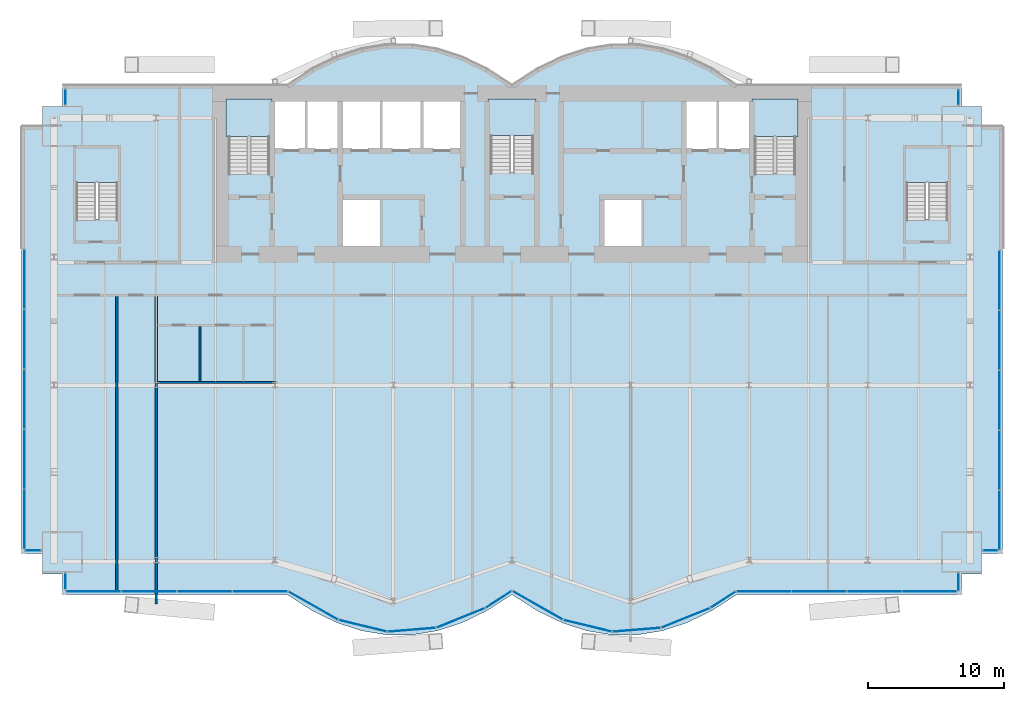
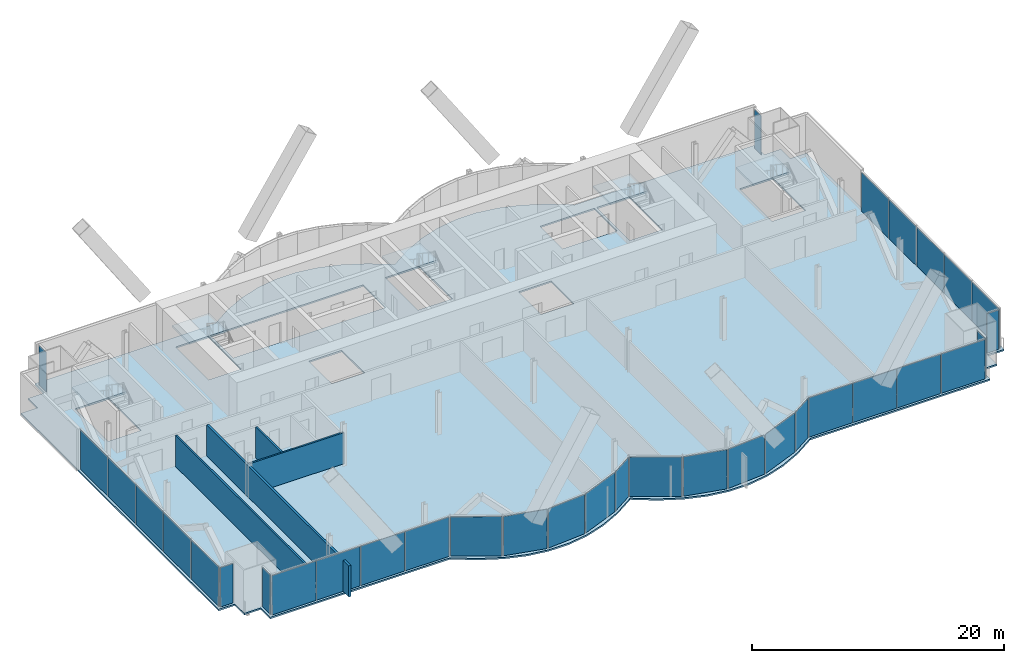
# One storey, part 14 of 21: 34 plates, 6 slabs, 4 walls, 17 elements without a shape of their own.
"""IFC4 building model written with IfcOpenShell, lengths in metres."""

from ifc_helpers import new_model, si_unit, direction, frame, frame_2d, origin, origin_2d, place, context, subcontext, project, spatial, polyline, rectangle, outline, extrude, material, layer, layer_set, type_object, element, aggregate, save


model = new_model("IFC4")

# Units and contexts
model_context = context("Model", 3, precision=1e-05, world=origin(), true_north=direction((0.0, 1.0)))
body_context = subcontext(model_context, "Body", "Model", "MODEL_VIEW")
ifc_project = project(units=[si_unit("LENGTHUNIT", "METRE"), si_unit("AREAUNIT", "SQUARE_METRE"), si_unit("VOLUMEUNIT", "CUBIC_METRE"), si_unit("PLANEANGLEUNIT", "RADIAN"), si_unit("MASSUNIT", "GRAM", prefix="KILO")], contexts=[model_context])

# Site, building, storey
site_placement = place(None, origin())
site = spatial("IfcSite", under=ifc_project, at=site_placement, CompositionType="ELEMENT")
building_placement = place(site_placement, origin())
building = spatial("IfcBuilding", under=site, at=building_placement, Name="Bicima Exchange Tower", CompositionType="ELEMENT")
storey_placement = place(building_placement, frame((0.0, 0.0, 118.60009765625)))
storey = spatial("IfcBuildingStorey", under=building, at=storey_placement, Name="L25", CompositionType="ELEMENT", Elevation=118.60009765625)

# Slab
ifc_material_1 = material(Name="Concrete C40/50", Category="concrete")
ifc_layer_1 = layer(ifc_material_1, 0.14990234375)
ifc_layer_set_1 = layer_set([ifc_layer_1], Name="Concrete C40/50")
slab_type_1 = type_object("IfcSlabType", Name="Composite floor slab 150", PredefinedType="FLOOR", material=ifc_layer_set_1)
slab_1_placement = place(storey_placement, frame((0.0, 0.0, -0.150146484375)))
element("IfcSlab", 1, at=slab_1_placement, inside=storey, type_object=slab_type_1, Name="Floor slab", PredefinedType="FLOOR", context=body_context, shape_type="SweptSolid", body=[
    extrude(outline(polyline([(-36.0, -34.364013671875), (-36.0, -3.0), (-34.5, -3.0), (-34.5, -1.5), (-33.0, -1.5), (-33.0, 0.0), (-16.5, 0.0), (-14.666748046875, 1.185302734375), (-12.833251953125, 2.07421875), (-11.0, 2.666748046875), (-9.166748046875, 2.962890625), (-7.333251953125, 2.962890625), (-5.5, 2.666748046875), (-3.666748046875, 2.07421875), (-1.833251953125, 1.185302734375), (0.0, 0.0), (1.833251953125, 1.185302734375), (3.666748046875, 2.07421875), (5.5, 2.666748046875), (7.333251953125, 2.962890625), (9.166748046875, 2.962890625), (11.0, 2.666748046875), (12.833251953125, 2.07421875), (14.666748046875, 1.185302734375), (16.5, 0.0), (33.0, 0.0), (33.0, -1.5), (34.5, -1.5), (34.5, -3.0), (36.0, -3.0), (36.0, -34.364013671875), (34.5, -34.364013671875), (34.5, -35.864013671875), (33.0, -35.864013671875), (33.0, -37.364013671875), (16.5, -37.364013671875), (14.666748046875, -38.54931640625), (12.833251953125, -39.43798828125), (11.0, -40.03076171875), (9.166748046875, -40.326904296875), (7.333251953125, -40.326904296875), (5.5, -40.03076171875), (3.666748046875, -39.43798828125), (1.833251953125, -38.54931640625), (0.0, -37.364013671875), (-1.833251953125, -38.54931640625), (-3.666748046875, -39.43798828125), (-5.5, -40.03076171875), (-7.333251953125, -40.326904296875), (-9.166748046875, -40.326904296875), (-11.0, -40.03076171875), (-12.833251953125, -39.43798828125), (-14.666748046875, -38.54931640625), (-16.5, -37.364013671875), (-33.0, -37.364013671875), (-33.0, -35.864013671875), (-34.5, -35.864013671875), (-34.5, -34.364013671875), (-36.0, -34.364013671875)]), holes=[polyline([(-9.60009765625, -11.800048828125), (-9.60009765625, -8.199951171875), (-12.60009765625, -8.199951171875), (-12.60009765625, -11.800048828125), (-9.60009765625, -11.800048828125)]), polyline([(-31.97509765625, -9.824951171875), (-28.925048828125, -9.824951171875), (-28.925048828125, -4.625), (-31.97509765625, -4.625), (-31.97509765625, -9.824951171875)]), polyline([(-20.800048828125, -6.449951171875), (-17.800048828125, -6.449951171875), (-17.800048828125, -1.199951171875), (-20.800048828125, -1.199951171875), (-20.800048828125, -6.449951171875)]), polyline([(-9.60009765625, -1.199951171875), (-12.60009765625, -1.199951171875), (-15.10009765625, -1.199951171875), (-17.60009765625, -1.199951171875), (-17.60009765625, -4.800048828125), (-15.10009765625, -4.800048828125), (-12.60009765625, -4.800048828125), (-9.60009765625, -4.800048828125), (-6.60009765625, -4.800048828125), (-3.60009765625, -4.800048828125), (-3.60009765625, -1.199951171875), (-6.60009765625, -1.199951171875), (-9.60009765625, -1.199951171875)]), polyline([(9.60009765625, -11.800048828125), (9.60009765625, -8.199951171875), (6.60009765625, -8.199951171875), (6.60009765625, -11.800048828125), (9.60009765625, -11.800048828125)]), polyline([(28.925048828125, -9.824951171875), (31.97509765625, -9.824951171875), (31.97509765625, -4.625), (28.925048828125, -4.625), (28.925048828125, -9.824951171875)]), polyline([(17.800048828125, -6.449951171875), (20.800048828125, -6.449951171875), (20.800048828125, -1.199951171875), (17.800048828125, -1.199951171875), (17.800048828125, -6.449951171875)]), polyline([(-1.574951171875, -6.39990234375), (1.574951171875, -6.39990234375), (1.574951171875, -1.199951171875), (-1.574951171875, -1.199951171875), (-1.574951171875, -6.39990234375)]), polyline([(17.60009765625, -4.800048828125), (17.60009765625, -1.199951171875), (15.10009765625, -1.199951171875), (12.60009765625, -1.199951171875), (12.60009765625, -4.800048828125), (15.10009765625, -4.800048828125), (17.60009765625, -4.800048828125)])]), origin(), (0.0, 0.0, 1.0), 0.150146484375),
])

# Curtain wall, plates
ifc_material_2 = material(Name="Anodised bronze aluminium", Category="aluminium")
curtain_wall_type_1 = type_object("IfcCurtainWallType", Name="End face glass wall", PredefinedType="NOTDEFINED", material=ifc_material_2)
curtain_wall_1_placement = place(storey_placement, origin())
curtain_wall_1 = element("IfcCurtainWall", 2, at=curtain_wall_1_placement, inside=storey, type_object=curtain_wall_type_1, Name="End face glass wall L25 run 2", PredefinedType="NOTDEFINED")
ifc_material_3 = material(Name="Bronze tinted glass", Category="glass")
ifc_layer_2 = layer(ifc_material_3, 0.031982421875)
ifc_layer_set_2 = layer_set([ifc_layer_2], Name="Bronze tinted glass")
plate_type_1 = type_object("IfcPlateType", Name="End face glass wall glass panel 32", PredefinedType="CURTAIN_PANEL", material=ifc_layer_set_2)
plate_1_placement = place(storey_placement, frame((-35.77001953125, -27.42578125, -0.000244140625), z_axis=(0.0, 0.0, 1.0), x_axis=(0.0, -1.0, 0.0)))
plate_1 = element("IfcPlate", 3, at=plate_1_placement, type_object=plate_type_1, Name="End face glass wall panel 4.1", PredefinedType="CURTAIN_PANEL", context=body_context, shape_type="SweptSolid", body=[
    extrude(rectangle(XDim=4.3388671875, YDim=0.031982421875, at=origin_2d()), origin(), (0.0, 0.0, 1.0), 3.81005859375),
])
plate_2_placement = place(storey_placement, frame((-35.77001953125, -31.82470703125, -0.000244140625), z_axis=(0.0, 0.0, 1.0), x_axis=(0.0, -1.0, 0.0)))
plate_2 = element("IfcPlate", 4, at=plate_2_placement, type_object=plate_type_1, Name="End face glass wall panel 5.1", PredefinedType="CURTAIN_PANEL", context=body_context, shape_type="SweptSolid", body=[
    extrude(rectangle(XDim=4.3388671875, YDim=0.031982421875, at=origin_2d()), origin(), (0.0, 0.0, 1.0), 3.81005859375),
])

curtain_wall_2_placement = place(storey_placement, origin())
curtain_wall_2 = element("IfcCurtainWall", 5, at=curtain_wall_2_placement, inside=storey, type_object=curtain_wall_type_1, Name="End face glass wall L25 run 19", PredefinedType="NOTDEFINED")
plate_3_placement = place(storey_placement, frame((35.77001953125, -31.904541015625, -0.000244140625), z_axis=(0.0, 0.0, 1.0), x_axis=(0.0, 1.0, 0.0)))
plate_3 = element("IfcPlate", 6, at=plate_3_placement, type_object=plate_type_1, Name="End face glass wall panel 1.1", PredefinedType="CURTAIN_PANEL", context=body_context, shape_type="SweptSolid", body=[
    extrude(rectangle(XDim=4.3388671875, YDim=0.031982421875, at=origin_2d()), origin(), (0.0, 0.0, 1.0), 3.81005859375),
])
plate_4_placement = place(storey_placement, frame((35.77001953125, -27.505859375, -0.000244140625), z_axis=(0.0, 0.0, 1.0), x_axis=(0.0, 1.0, 0.0)))
plate_4 = element("IfcPlate", 7, at=plate_4_placement, type_object=plate_type_1, Name="End face glass wall panel 2.1", PredefinedType="CURTAIN_PANEL", context=body_context, shape_type="SweptSolid", body=[
    extrude(rectangle(XDim=4.3388671875, YDim=0.031982421875, at=origin_2d()), origin(), (0.0, 0.0, 1.0), 3.81005859375),
])

# Plate
ifc_material_4 = material(Name="Bronze anodised aluminium", Category="aluminium")
ifc_layer_3 = layer(ifc_material_4, 0.031982421875)
ifc_layer_set_3 = layer_set([ifc_layer_3], Name="Bronze anodised aluminium")
plate_type_2 = type_object("IfcPlateType", Name="End face glass wall spandrel panel 32", PredefinedType="CURTAIN_PANEL", material=ifc_layer_set_3)
plate_5_placement = place(storey_placement, frame((-35.77001953125, -14.2294921875, -0.000244140625), z_axis=(0.0, 0.0, 1.0), x_axis=(0.0, -1.0, 0.0)))
plate_5 = element("IfcPlate", 8, at=plate_5_placement, type_object=plate_type_2, Name="End face spandrel wall panel 1.1", PredefinedType="CURTAIN_PANEL", context=body_context, shape_type="SweptSolid", body=[
    extrude(rectangle(XDim=4.3388671875, YDim=0.031982421875, at=origin_2d()), origin(), (0.0, 0.0, 1.0), 3.81005859375),
])

plate_6_placement = place(storey_placement, frame((-35.77001953125, -18.628173828125, -0.000244140625), z_axis=(0.0, 0.0, 1.0), x_axis=(0.0, -1.0, 0.0)))
plate_6 = element("IfcPlate", 9, at=plate_6_placement, type_object=plate_type_2, Name="End face spandrel wall panel 2.1", PredefinedType="CURTAIN_PANEL", context=body_context, shape_type="SweptSolid", body=[
    extrude(rectangle(XDim=4.3388671875, YDim=0.031982421875, at=origin_2d()), origin(), (0.0, 0.0, 1.0), 3.81005859375),
])

plate_7_placement = place(storey_placement, frame((-35.77001953125, -23.027099609375, -0.000244140625), z_axis=(0.0, 0.0, 1.0), x_axis=(0.0, -1.0, 0.0)))
plate_7 = element("IfcPlate", 10, at=plate_7_placement, type_object=plate_type_2, Name="End face spandrel wall panel 3.1", PredefinedType="CURTAIN_PANEL", context=body_context, shape_type="SweptSolid", body=[
    extrude(rectangle(XDim=4.3388671875, YDim=0.031982421875, at=origin_2d()), origin(), (0.0, 0.0, 1.0), 3.81005859375),
])

aggregate(curtain_wall_1, [plate_5, plate_6, plate_7, plate_1, plate_2])

plate_8_placement = place(storey_placement, frame((35.77001953125, -23.10693359375, -0.000244140625), z_axis=(0.0, 0.0, 1.0), x_axis=(0.0, 1.0, 0.0)))
plate_8 = element("IfcPlate", 11, at=plate_8_placement, type_object=plate_type_2, Name="End face spandrel wall panel 3.1", PredefinedType="CURTAIN_PANEL", context=body_context, shape_type="SweptSolid", body=[
    extrude(rectangle(XDim=4.3388671875, YDim=0.031982421875, at=origin_2d()), origin(), (0.0, 0.0, 1.0), 3.81005859375),
])

plate_9_placement = place(storey_placement, frame((35.77001953125, -18.708251953125, -0.000244140625), z_axis=(0.0, 0.0, 1.0), x_axis=(0.0, 1.0, 0.0)))
plate_9 = element("IfcPlate", 12, at=plate_9_placement, type_object=plate_type_2, Name="End face spandrel wall panel 4.1", PredefinedType="CURTAIN_PANEL", context=body_context, shape_type="SweptSolid", body=[
    extrude(rectangle(XDim=4.3388671875, YDim=0.031982421875, at=origin_2d()), origin(), (0.0, 0.0, 1.0), 3.81005859375),
])

plate_10_placement = place(storey_placement, frame((35.77001953125, -14.309326171875, -0.000244140625), z_axis=(0.0, 0.0, 1.0), x_axis=(0.0, 1.0, 0.0)))
plate_10 = element("IfcPlate", 13, at=plate_10_placement, type_object=plate_type_2, Name="End face spandrel wall panel 5.1", PredefinedType="CURTAIN_PANEL", context=body_context, shape_type="SweptSolid", body=[
    extrude(rectangle(XDim=4.3388671875, YDim=0.031982421875, at=origin_2d()), origin(), (0.0, 0.0, 1.0), 3.81005859375),
])

aggregate(curtain_wall_2, [plate_3, plate_4, plate_8, plate_9, plate_10])

# Curtain wall, plate
curtain_wall_type_2 = type_object("IfcCurtainWallType", Name="Front glass wall", PredefinedType="NOTDEFINED", material=ifc_material_2)
curtain_wall_3_placement = place(storey_placement, origin())
curtain_wall_3 = element("IfcCurtainWall", 14, at=curtain_wall_3_placement, inside=storey, type_object=curtain_wall_type_2, Name="Front glass wall L25 run 1", PredefinedType="NOTDEFINED")
ifc_layer_4 = layer(ifc_material_3, 0.031982421875)
ifc_layer_set_4 = layer_set([ifc_layer_4], Name="Bronze tinted glass")
plate_type_3 = type_object("IfcPlateType", Name="Front glass wall glass panel 32", PredefinedType="CURTAIN_PANEL", material=ifc_layer_set_4)
plate_11_placement = place(storey_placement, frame((-32.77001953125, -0.864990234375, -0.000244140625), z_axis=(0.0, 0.0, 1.0), x_axis=(0.0, -1.0, 0.0)))
plate_11 = element("IfcPlate", 15, at=plate_11_placement, type_object=plate_type_3, Name="Front glass wall panel 1.1", PredefinedType="CURTAIN_PANEL", context=body_context, shape_type="SweptSolid", body=[
    extrude(rectangle(XDim=1.14990234375, YDim=0.031982421875, at=origin_2d()), origin(), (0.0, 0.0, 1.0), 3.81005859375),
])
aggregate(curtain_wall_3, [plate_11])

curtain_wall_4_placement = place(storey_placement, origin())
curtain_wall_4 = element("IfcCurtainWall", 16, at=curtain_wall_4_placement, inside=storey, type_object=curtain_wall_type_2, Name="Front glass wall L25 run 3", PredefinedType="NOTDEFINED")
plate_12_placement = place(storey_placement, frame((-35.135009765625, -34.134033203125, -0.000244140625), z_axis=(0.0, 0.0, 1.0), x_axis=(1.0, 0.0, 0.0)))
plate_12 = element("IfcPlate", 17, at=plate_12_placement, type_object=plate_type_3, Name="Front glass wall panel 1.1", PredefinedType="CURTAIN_PANEL", context=body_context, shape_type="SweptSolid", body=[
    extrude(rectangle(XDim=1.14990234375, YDim=0.031982421875, at=origin_2d()), origin(), (0.0, 0.0, 1.0), 3.81005859375),
])
aggregate(curtain_wall_4, [plate_12])

curtain_wall_5_placement = place(storey_placement, origin())
curtain_wall_5 = element("IfcCurtainWall", 18, at=curtain_wall_5_placement, inside=storey, type_object=curtain_wall_type_2, Name="Front glass wall L25 run 4", PredefinedType="NOTDEFINED")
plate_13_placement = place(storey_placement, frame((-32.77001953125, -36.39794921875, -0.000244140625), z_axis=(0.0, 0.0, 1.0), x_axis=(0.0, -1.0, 0.0)))
plate_13 = element("IfcPlate", 19, at=plate_13_placement, type_object=plate_type_3, Name="Front glass wall panel 1.1", PredefinedType="CURTAIN_PANEL", context=body_context, shape_type="SweptSolid", body=[
    extrude(rectangle(XDim=1.19189453125, YDim=0.031982421875, at=origin_2d()), origin(), (0.0, 0.0, 1.0), 3.81005859375),
])
aggregate(curtain_wall_5, [plate_13])

# Curtain wall, plates
curtain_wall_6_placement = place(storey_placement, origin())
curtain_wall_6 = element("IfcCurtainWall", 20, at=curtain_wall_6_placement, inside=storey, type_object=curtain_wall_type_2, Name="Front glass wall L25 run 5", PredefinedType="NOTDEFINED")
plate_14_placement = place(storey_placement, frame((-30.705322265625, -37.134033203125, -0.000244140625), z_axis=(0.0, 0.0, 1.0), x_axis=(1.0, 0.0, 0.0)))
plate_14 = element("IfcPlate", 21, at=plate_14_placement, type_object=plate_type_3, Name="Front glass wall panel 1.1", PredefinedType="CURTAIN_PANEL", context=body_context, shape_type="SweptSolid", body=[
    extrude(rectangle(XDim=4.009521484375, YDim=0.031982421875, at=origin_2d()), origin(), (0.0, 0.0, 1.0), 3.81005859375),
])
plate_15_placement = place(storey_placement, frame((-26.6357421875, -37.134033203125, -0.000244140625), z_axis=(0.0, 0.0, 1.0), x_axis=(1.0, 0.0, 0.0)))
plate_15 = element("IfcPlate", 22, at=plate_15_placement, type_object=plate_type_3, Name="Front glass wall panel 2.1", PredefinedType="CURTAIN_PANEL", context=body_context, shape_type="SweptSolid", body=[
    extrude(rectangle(XDim=4.009521484375, YDim=0.031982421875, at=origin_2d()), origin(), (0.0, 0.0, 1.0), 3.81005859375),
])

curtain_wall_7_placement = place(storey_placement, origin())
curtain_wall_7 = element("IfcCurtainWall", 23, at=curtain_wall_7_placement, inside=storey, type_object=curtain_wall_type_2, Name="Front glass wall L25 run 6", PredefinedType="NOTDEFINED")
plate_16_placement = place(storey_placement, frame((-7.35107421875, -39.95166015625, -0.000244140625), z_axis=(0.0, 0.0, 1.0), x_axis=(0.99674744821, 0.080588612633, 0.0)))
plate_16 = element("IfcPlate", 24, at=plate_16_placement, type_object=plate_type_3, Name="Front glass wall panel 1.1", PredefinedType="CURTAIN_PANEL", context=body_context, shape_type="SweptSolid", body=[
    extrude(rectangle(XDim=3.486083984375, YDim=0.031982421875, at=origin_2d()), origin(), (0.0, 0.0, 1.0), 3.81005859375),
])
plate_17_placement = place(storey_placement, frame((-3.750244140625, -39.077392578125, -0.000244140625), z_axis=(0.0, 0.0, 1.0), x_axis=(0.92714396679, 0.374705304, 0.0)))
plate_17 = element("IfcPlate", 25, at=plate_17_placement, type_object=plate_type_3, Name="Front glass wall panel 1.1", PredefinedType="CURTAIN_PANEL", context=body_context, shape_type="SweptSolid", body=[
    extrude(rectangle(XDim=3.771240234375, YDim=0.031982421875, at=origin_2d()), origin(), (0.0, 0.0, 1.0), 3.81005859375),
])
plate_18_placement = place(storey_placement, frame((-0.97314453125, -37.71923828125, -0.000244140625), z_axis=(0.0, 0.0, 1.0), x_axis=(0.839798994301, 0.542897457326, 0.0)))
plate_18 = element("IfcPlate", 26, at=plate_18_placement, type_object=plate_type_3, Name="Front glass wall panel 1.1", PredefinedType="CURTAIN_PANEL", context=body_context, shape_type="SweptSolid", body=[
    extrude(rectangle(XDim=2.197509765625, YDim=0.031982421875, at=origin_2d()), origin(), (0.0, 0.0, 1.0), 3.81005859375),
])

curtain_wall_8_placement = place(storey_placement, origin())
curtain_wall_8 = element("IfcCurtainWall", 27, at=curtain_wall_8_placement, inside=storey, type_object=curtain_wall_type_2, Name="Front glass wall L25 run 11", PredefinedType="NOTDEFINED")
plate_19_placement = place(storey_placement, frame((1.876220703125, -38.1572265625, -0.000244140625), z_axis=(0.0, 0.0, 1.0), x_axis=(0.869274147378, -0.494330311331, 0.0)))
plate_19 = element("IfcPlate", 28, at=plate_19_placement, type_object=plate_type_3, Name="Front glass wall panel 1.1", PredefinedType="CURTAIN_PANEL", context=body_context, shape_type="SweptSolid", body=[
    extrude(rectangle(XDim=4.197021484375, YDim=0.031982421875, at=origin_2d()), origin(), (0.0, 0.0, 1.0), 3.81005859375),
])
plate_20_placement = place(storey_placement, frame((5.55224609375, -39.66064453125, -0.000244140625), z_axis=(0.0, 0.0, 1.0), x_axis=(0.971830343553, -0.235681529503, 0.0)))
plate_20 = element("IfcPlate", 29, at=plate_20_placement, type_object=plate_type_3, Name="Front glass wall panel 1.1", PredefinedType="CURTAIN_PANEL", context=body_context, shape_type="SweptSolid", body=[
    extrude(rectangle(XDim=3.583251953125, YDim=0.031982421875, at=origin_2d()), origin(), (0.0, 0.0, 1.0), 3.81005859375),
])
plate_21_placement = place(storey_placement, frame((15.492919921875, -37.7412109375, -0.000244140625), z_axis=(0.0, 0.0, 1.0), x_axis=(0.839791413941, 0.542909183079, 0.0)))
plate_21 = element("IfcPlate", 30, at=plate_21_placement, type_object=plate_type_3, Name="Front glass wall panel 1.1", PredefinedType="CURTAIN_PANEL", context=body_context, shape_type="SweptSolid", body=[
    extrude(rectangle(XDim=2.11669921875, YDim=0.031982421875, at=origin_2d()), origin(), (0.0, 0.0, 1.0), 3.81005859375),
])

curtain_wall_9_placement = place(storey_placement, origin())
curtain_wall_9 = element("IfcCurtainWall", 31, at=curtain_wall_9_placement, inside=storey, type_object=curtain_wall_type_2, Name="Front glass wall L25 run 16", PredefinedType="NOTDEFINED")
plate_22_placement = place(storey_placement, frame((26.585693359375, -37.134033203125, -0.000244140625), z_axis=(0.0, 0.0, 1.0), x_axis=(1.0, 0.0, 0.0)))
plate_22 = element("IfcPlate", 32, at=plate_22_placement, type_object=plate_type_3, Name="Front glass wall panel 3.1", PredefinedType="CURTAIN_PANEL", context=body_context, shape_type="SweptSolid", body=[
    extrude(rectangle(XDim=3.989501953125, YDim=0.031982421875, at=origin_2d()), origin(), (0.0, 0.0, 1.0), 3.81005859375),
])
plate_23_placement = place(storey_placement, frame((30.63525390625, -37.134033203125, -0.000244140625), z_axis=(0.0, 0.0, 1.0), x_axis=(1.0, 0.0, 0.0)))
plate_23 = element("IfcPlate", 33, at=plate_23_placement, type_object=plate_type_3, Name="Front glass wall panel 4.1", PredefinedType="CURTAIN_PANEL", context=body_context, shape_type="SweptSolid", body=[
    extrude(rectangle(XDim=3.989501953125, YDim=0.031982421875, at=origin_2d()), origin(), (0.0, 0.0, 1.0), 3.81005859375),
])

# Curtain wall, plate
curtain_wall_10_placement = place(storey_placement, origin())
curtain_wall_10 = element("IfcCurtainWall", 34, at=curtain_wall_10_placement, inside=storey, type_object=curtain_wall_type_2, Name="Front glass wall L25 run 17", PredefinedType="NOTDEFINED")
plate_24_placement = place(storey_placement, frame((32.77001953125, -36.43798828125, -0.000244140625), z_axis=(0.0, 0.0, 1.0), x_axis=(0.0, 1.0, 0.0)))
plate_24 = element("IfcPlate", 35, at=plate_24_placement, type_object=plate_type_3, Name="Front glass wall panel 1.1", PredefinedType="CURTAIN_PANEL", context=body_context, shape_type="SweptSolid", body=[
    extrude(rectangle(XDim=1.27197265625, YDim=0.031982421875, at=origin_2d()), origin(), (0.0, 0.0, 1.0), 3.81005859375),
])
aggregate(curtain_wall_10, [plate_24])

curtain_wall_11_placement = place(storey_placement, origin())
curtain_wall_11 = element("IfcCurtainWall", 36, at=curtain_wall_11_placement, inside=storey, type_object=curtain_wall_type_2, Name="Front glass wall L25 run 18", PredefinedType="NOTDEFINED")
plate_25_placement = place(storey_placement, frame((35.094970703125, -34.134033203125, -0.000244140625), z_axis=(0.0, 0.0, 1.0), x_axis=(1.0, 0.0, 0.0)))
plate_25 = element("IfcPlate", 37, at=plate_25_placement, type_object=plate_type_3, Name="Front glass wall panel 1.1", PredefinedType="CURTAIN_PANEL", context=body_context, shape_type="SweptSolid", body=[
    extrude(rectangle(XDim=1.070068359375, YDim=0.031982421875, at=origin_2d()), origin(), (0.0, 0.0, 1.0), 3.81005859375),
])
aggregate(curtain_wall_11, [plate_25])

curtain_wall_12_placement = place(storey_placement, origin())
curtain_wall_12 = element("IfcCurtainWall", 38, at=curtain_wall_12_placement, inside=storey, type_object=curtain_wall_type_2, Name="Front glass wall L25 run 20", PredefinedType="NOTDEFINED")
plate_26_placement = place(storey_placement, frame((32.77001953125, -0.905029296875, -0.000244140625), z_axis=(0.0, 0.0, 1.0), x_axis=(0.0, 1.0, 0.0)))
plate_26 = element("IfcPlate", 39, at=plate_26_placement, type_object=plate_type_3, Name="Front glass wall panel 1.1", PredefinedType="CURTAIN_PANEL", context=body_context, shape_type="SweptSolid", body=[
    extrude(rectangle(XDim=1.070068359375, YDim=0.031982421875, at=origin_2d()), origin(), (0.0, 0.0, 1.0), 3.81005859375),
])
aggregate(curtain_wall_12, [plate_26])

# Plate
ifc_layer_5 = layer(ifc_material_4, 0.031982421875)
ifc_layer_set_5 = layer_set([ifc_layer_5], Name="Bronze anodised aluminium")
plate_type_4 = type_object("IfcPlateType", Name="Front glass wall spandrel panel 32", PredefinedType="CURTAIN_PANEL", material=ifc_layer_set_5)
plate_27_placement = place(storey_placement, frame((-22.56640625, -37.134033203125, -0.000244140625), z_axis=(0.0, 0.0, 1.0), x_axis=(1.0, 0.0, 0.0)))
plate_27 = element("IfcPlate", 40, at=plate_27_placement, type_object=plate_type_4, Name="Front spandrel wall panel 3.1", PredefinedType="CURTAIN_PANEL", context=body_context, shape_type="SweptSolid", body=[
    extrude(rectangle(XDim=4.009521484375, YDim=0.031982421875, at=origin_2d()), origin(), (0.0, 0.0, 1.0), 3.81005859375),
])

plate_28_placement = place(storey_placement, frame((-18.496826171875, -37.134033203125, -0.000244140625), z_axis=(0.0, 0.0, 1.0), x_axis=(1.0, 0.0, 0.0)))
plate_28 = element("IfcPlate", 41, at=plate_28_placement, type_object=plate_type_4, Name="Front spandrel wall panel 4.1", PredefinedType="CURTAIN_PANEL", context=body_context, shape_type="SweptSolid", body=[
    extrude(rectangle(XDim=4.009521484375, YDim=0.031982421875, at=origin_2d()), origin(), (0.0, 0.0, 1.0), 3.81005859375),
])

aggregate(curtain_wall_6, [plate_14, plate_15, plate_27, plate_28])

plate_29_placement = place(storey_placement, frame((-14.589599609375, -38.17919921875, -0.000244140625), z_axis=(0.0, 0.0, 1.0), x_axis=(0.869805110681, -0.493395449343, 0.0)))
plate_29 = element("IfcPlate", 42, at=plate_29_placement, type_object=plate_type_4, Name="Front spandrel wall panel 1.1", PredefinedType="CURTAIN_PANEL", context=body_context, shape_type="SweptSolid", body=[
    extrude(rectangle(XDim=4.1162109375, YDim=0.031982421875, at=origin_2d()), origin(), (0.0, 0.0, 1.0), 3.81005859375),
])

plate_30_placement = place(storey_placement, frame((-10.94775390625, -39.66064453125, -0.000244140625), z_axis=(0.0, 0.0, 1.0), x_axis=(0.971830343553, -0.235681529503, 0.0)))
plate_30 = element("IfcPlate", 43, at=plate_30_placement, type_object=plate_type_4, Name="Front spandrel wall panel 1.1", PredefinedType="CURTAIN_PANEL", context=body_context, shape_type="SweptSolid", body=[
    extrude(rectangle(XDim=3.583251953125, YDim=0.031982421875, at=origin_2d()), origin(), (0.0, 0.0, 1.0), 3.81005859375),
])

aggregate(curtain_wall_7, [plate_29, plate_30, plate_16, plate_17, plate_18])

plate_31_placement = place(storey_placement, frame((9.14892578125, -39.95166015625, -0.000244140625), z_axis=(0.0, 0.0, 1.0), x_axis=(0.99674744821, 0.080588612633, 0.0)))
plate_31 = element("IfcPlate", 44, at=plate_31_placement, type_object=plate_type_4, Name="Front spandrel wall panel 1.1", PredefinedType="CURTAIN_PANEL", context=body_context, shape_type="SweptSolid", body=[
    extrude(rectangle(XDim=3.486083984375, YDim=0.031982421875, at=origin_2d()), origin(), (0.0, 0.0, 1.0), 3.81005859375),
])

plate_32_placement = place(storey_placement, frame((12.749755859375, -39.077392578125, -0.000244140625), z_axis=(0.0, 0.0, 1.0), x_axis=(0.92714396679, 0.374705304, 0.0)))
plate_32 = element("IfcPlate", 45, at=plate_32_placement, type_object=plate_type_4, Name="Front spandrel wall panel 1.1", PredefinedType="CURTAIN_PANEL", context=body_context, shape_type="SweptSolid", body=[
    extrude(rectangle(XDim=3.771240234375, YDim=0.031982421875, at=origin_2d()), origin(), (0.0, 0.0, 1.0), 3.81005859375),
])

aggregate(curtain_wall_8, [plate_19, plate_20, plate_31, plate_32, plate_21])

plate_33_placement = place(storey_placement, frame((18.48681640625, -37.134033203125, -0.000244140625), z_axis=(0.0, 0.0, 1.0), x_axis=(1.0, 0.0, 0.0)))
plate_33 = element("IfcPlate", 46, at=plate_33_placement, type_object=plate_type_4, Name="Front spandrel wall panel 1.1", PredefinedType="CURTAIN_PANEL", context=body_context, shape_type="SweptSolid", body=[
    extrude(rectangle(XDim=3.989501953125, YDim=0.031982421875, at=origin_2d()), origin(), (0.0, 0.0, 1.0), 3.81005859375),
])

plate_34_placement = place(storey_placement, frame((22.536376953125, -37.134033203125, -0.000244140625), z_axis=(0.0, 0.0, 1.0), x_axis=(1.0, 0.0, 0.0)))
plate_34 = element("IfcPlate", 47, at=plate_34_placement, type_object=plate_type_4, Name="Front spandrel wall panel 2.1", PredefinedType="CURTAIN_PANEL", context=body_context, shape_type="SweptSolid", body=[
    extrude(rectangle(XDim=3.989501953125, YDim=0.031982421875, at=origin_2d()), origin(), (0.0, 0.0, 1.0), 3.81005859375),
])

aggregate(curtain_wall_9, [plate_33, plate_34, plate_22, plate_23])

# Stair, slab
ifc_material_5 = material(Name="Concrete C50/60", Category="concrete")
stair_type_1 = type_object("IfcStairType", Name="Exit stair", PredefinedType="HALF_TURN_STAIR", material=ifc_material_5)
stair_1_placement = place(storey_placement, origin())
stair_1 = element("IfcStair", 48, at=stair_1_placement, inside=storey, type_object=stair_type_1, Name="L25 West exit stair", PredefinedType="HALF_TURN_STAIR")
ifc_layer_6 = layer(ifc_material_5, 0.199951171875)
ifc_layer_set_6 = layer_set([ifc_layer_6], Name="Concrete C50/60")
slab_type_2 = type_object("IfcSlabType", Name="Stair landing slab", PredefinedType="LANDING", material=ifc_layer_set_6)
slab_2_placement = place(storey_placement, frame((0.0, 0.0, 1.849853515625)))
slab_2 = element("IfcSlab", 49, at=slab_2_placement, type_object=slab_type_2, Name="ST-W landing 1", PredefinedType="LANDING", context=body_context, shape_type="SweptSolid", body=[
    extrude(outline(polyline([(-17.60009765625, -3.75), (-17.60009765625, -1.0), (-21.0, -1.0), (-21.0, -3.75), (-17.60009765625, -3.75)])), origin(), (0.0, 0.0, 1.0), 0.199951171875),
])
aggregate(stair_1, [slab_2])

stair_type_2 = type_object("IfcStairType", Name="Exit stair 1500", PredefinedType="HALF_TURN_STAIR", material=ifc_material_5)
stair_2_placement = place(storey_placement, origin())
stair_2 = element("IfcStair", 50, at=stair_2_placement, inside=storey, type_object=stair_type_2, Name="L25 Central exit stair", PredefinedType="HALF_TURN_STAIR")
slab_3_placement = place(storey_placement, frame((0.0, 0.0, 1.849853515625)))
slab_3 = element("IfcSlab", 51, at=slab_3_placement, type_object=slab_type_2, Name="ST-C landing 1", PredefinedType="LANDING", context=body_context, shape_type="SweptSolid", body=[
    extrude(outline(polyline([(1.77490234375, -3.699951171875), (1.77490234375, -1.0), (-1.77490234375, -1.0), (-1.77490234375, -3.699951171875), (1.77490234375, -3.699951171875)])), origin(), (0.0, 0.0, 1.0), 0.199951171875),
])
aggregate(stair_2, [slab_3])

stair_3_placement = place(storey_placement, origin())
stair_3 = element("IfcStair", 52, at=stair_3_placement, inside=storey, type_object=stair_type_1, Name="L25 East exit stair", PredefinedType="HALF_TURN_STAIR")
slab_4_placement = place(storey_placement, frame((0.0, 0.0, 1.849853515625)))
slab_4 = element("IfcSlab", 53, at=slab_4_placement, type_object=slab_type_2, Name="ST-E landing 1", PredefinedType="LANDING", context=body_context, shape_type="SweptSolid", body=[
    extrude(outline(polyline([(21.0, -3.75), (21.0, -1.0), (17.60009765625, -1.0), (17.60009765625, -3.75), (21.0, -3.75)])), origin(), (0.0, 0.0, 1.0), 0.199951171875),
])
aggregate(stair_3, [slab_4])

stair_4_placement = place(storey_placement, origin())
stair_4 = element("IfcStair", 54, at=stair_4_placement, inside=storey, type_object=stair_type_1, Name="L25 West end exit stair", PredefinedType="HALF_TURN_STAIR")
slab_5_placement = place(storey_placement, frame((0.0, 0.0, 1.849853515625)))
slab_5 = element("IfcSlab", 55, at=slab_5_placement, type_object=slab_type_2, Name="ST-WW landing 1", PredefinedType="LANDING", context=body_context, shape_type="SweptSolid", body=[
    extrude(outline(polyline([(-28.72509765625, -7.125), (-28.72509765625, -4.425048828125), (-32.175048828125, -4.425048828125), (-32.175048828125, -7.125), (-28.72509765625, -7.125)])), origin(), (0.0, 0.0, 1.0), 0.199951171875),
])
aggregate(stair_4, [slab_5])

stair_5_placement = place(storey_placement, origin())
stair_5 = element("IfcStair", 56, at=stair_5_placement, inside=storey, type_object=stair_type_1, Name="L25 East end exit stair", PredefinedType="HALF_TURN_STAIR")
slab_6_placement = place(storey_placement, frame((0.0, 0.0, 1.849853515625)))
slab_6 = element("IfcSlab", 57, at=slab_6_placement, type_object=slab_type_2, Name="ST-EE landing 1", PredefinedType="LANDING", context=body_context, shape_type="SweptSolid", body=[
    extrude(outline(polyline([(32.175048828125, -7.125), (32.175048828125, -4.425048828125), (28.72509765625, -4.425048828125), (28.72509765625, -7.125), (32.175048828125, -7.125)])), origin(), (0.0, 0.0, 1.0), 0.199951171875),
])
aggregate(stair_5, [slab_6])

# Walls
ifc_material_6 = material(Name="Gypsum board partition")
ifc_layer_7 = layer(ifc_material_6, 0.199951171875)
ifc_layer_set_7 = layer_set([ifc_layer_7], Name="Gypsum board partition")
wall_type_1 = type_object("IfcWallType", Name="Fire-rated gypsum partition 200 EI60", PredefinedType="PARTITIONING", material=ifc_layer_set_7)
wall_1_placement = place(storey_placement, frame((-26.10009765625, -38.053466796875, 0.0), z_axis=(0.0, 0.0, 1.0), x_axis=(0.0, 1.0, 0.0)))
element("IfcWall", 58, at=wall_1_placement, inside=storey, type_object=wall_type_1, Name="partition wall 15", PredefinedType="PARTITIONING", context=body_context, shape_type="SweptSolid", body=[
    extrude(rectangle(XDim=22.553466796875, YDim=0.199951171875, at=frame_2d((11.27685546875, 0.0))), origin(), (0.0, 0.0, 1.0), 3.01806640625),
])
ifc_layer_8 = layer(ifc_material_6, 0.14990234375)
ifc_layer_set_8 = layer_set([ifc_layer_8], Name="Gypsum board partition")
wall_type_2 = type_object("IfcWallType", Name="Gypsum partition 150", PredefinedType="PARTITIONING", material=ifc_layer_set_8)
wall_2_placement = place(storey_placement, frame((-26.0, -21.800048828125, 0.0), z_axis=(0.0, 0.0, 1.0), x_axis=(1.0, 0.0, 0.0)))
element("IfcWall", 59, at=wall_2_placement, inside=storey, type_object=wall_type_2, Name="partition wall 1", PredefinedType="PARTITIONING", context=body_context, shape_type="SweptSolid", body=[
    extrude(rectangle(XDim=8.699951171875, YDim=0.14990234375, at=frame_2d((4.35009765625, 0.0))), origin(), (0.0, 0.0, 1.0), 3.01806640625),
])
wall_3_placement = place(storey_placement, frame((-29.0, -37.14990234375, 0.0), z_axis=(0.0, 0.0, 1.0), x_axis=(0.0, 1.0, 0.0)))
element("IfcWall", 60, at=wall_3_placement, inside=storey, type_object=wall_type_2, Name="partition wall 13", PredefinedType="PARTITIONING", context=body_context, shape_type="SweptSolid", body=[
    extrude(rectangle(XDim=21.64990234375, YDim=0.14990234375, at=frame_2d((10.824951171875, 0.0))), origin(), (0.0, 0.0, 1.0), 3.01806640625),
])
wall_4_placement = place(storey_placement, frame((-22.89990234375, -21.72509765625, 0.0), z_axis=(0.0, 0.0, 1.0), x_axis=(0.0, 1.0, 0.0)))
element("IfcWall", 61, at=wall_4_placement, inside=storey, type_object=wall_type_2, Name="partition wall 17", PredefinedType="PARTITIONING", context=body_context, shape_type="SweptSolid", body=[
    extrude(rectangle(XDim=4.025146484375, YDim=0.14990234375, at=frame_2d((2.0126953125, 0.0))), origin(), (0.0, 0.0, 1.0), 3.01806640625),
])

save(model, "model.ifc")
